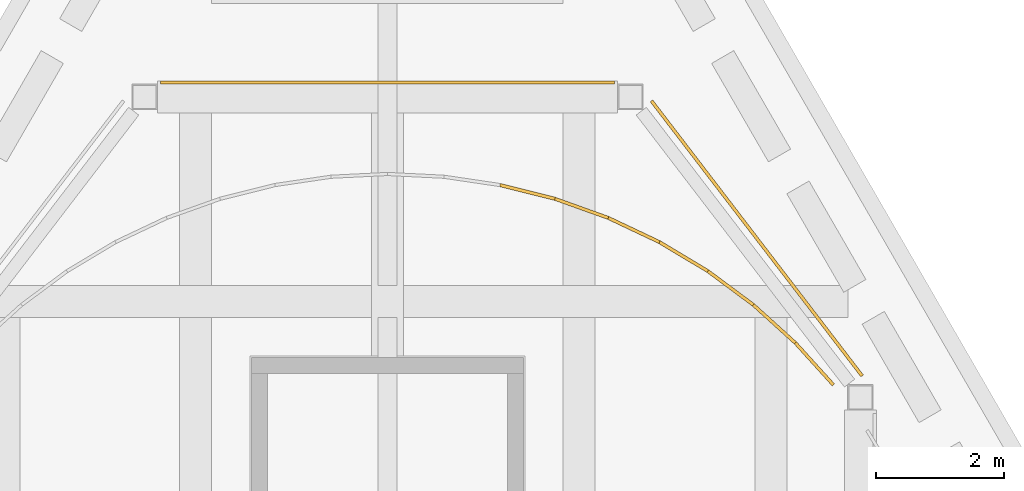
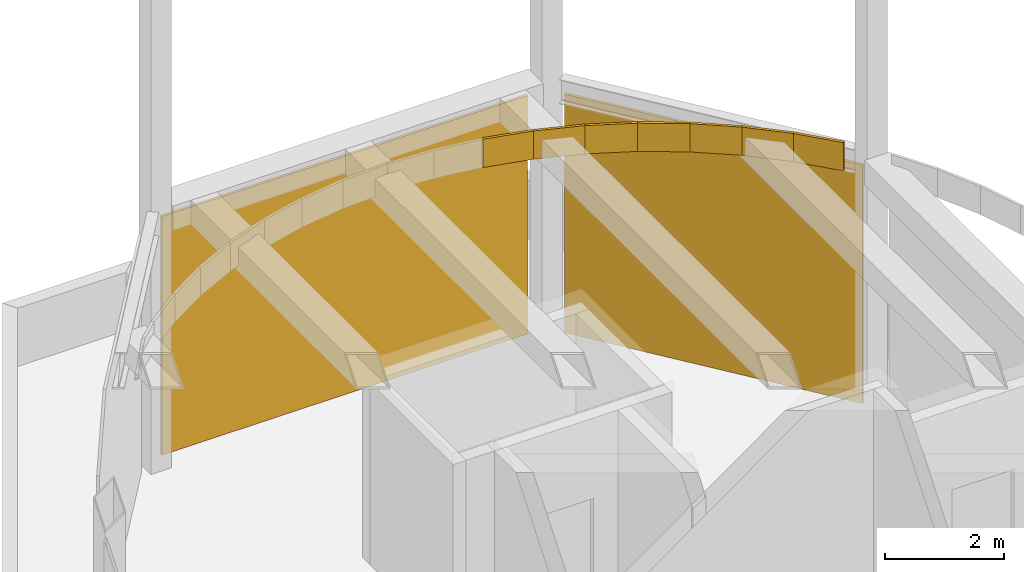
# One storey, part 6 of 6: 9 shading devices.
"""IFC4 building model written with IfcOpenShell, lengths in metres."""

from ifc_helpers import new_model, si_unit, direction, frame, origin, place, context, subcontext, project, spatial, polyline, outline, extrude, material, layer, layer_set, type_object, element, save


model = new_model("IFC4")

# Units and contexts
model_context = context("Model", 3, precision=1e-05, world=origin(), true_north=direction((0.0, 1.0)))
body_context = subcontext(model_context, "Body", "Model", "MODEL_VIEW")
ifc_project = project(units=[si_unit("LENGTHUNIT", "METRE"), si_unit("AREAUNIT", "SQUARE_METRE"), si_unit("VOLUMEUNIT", "CUBIC_METRE"), si_unit("PLANEANGLEUNIT", "RADIAN"), si_unit("MASSUNIT", "GRAM", prefix="KILO")], contexts=[model_context])

# Site, building, storey
site_placement = place(None, origin())
site = spatial("IfcSite", under=ifc_project, at=site_placement, CompositionType="ELEMENT")
building_placement = place(site_placement, origin())
building = spatial("IfcBuilding", under=site, at=building_placement, Name="Fogline Exchange Tower", CompositionType="ELEMENT")
storey_placement = place(building_placement, frame((0.0, 0.0, 363.60009765625)))
storey = spatial("IfcBuildingStorey", under=building, at=storey_placement, Name="RF", CompositionType="ELEMENT", Elevation=363.60009765625)

# Shading devices
ifc_material = material(Name="Aluminium louvre", Category="aluminium")
ifc_layer_1 = layer(ifc_material, 0.050048828125)
ifc_layer_set_1 = layer_set([ifc_layer_1], Name="LV1")
shading_device_type_1 = type_object("IfcShadingDeviceType", Name="LV1", PredefinedType="SHUTTER", material=ifc_layer_set_1)
shading_device_1_placement = place(storey_placement, frame((0.0, 0.0, 5.02001953125)))
element("IfcShadingDevice", 1, at=shading_device_1_placement, inside=storey, type_object=shading_device_type_1, Name="Helipad louvre skirt", PredefinedType="SHUTTER", context=body_context, shape_type="SweptSolid", body=[
    extrude(outline(polyline([(6.95703125, 16.679443359375), (6.99560546875, 16.711181640625), (6.3994140625, 17.369384765625), (6.364013671875, 17.333984375), (6.95703125, 16.679443359375)])), origin(), (0.0, 0.0, 1.0), 0.579833984375),
])
shading_device_2_placement = place(storey_placement, frame((0.0, 0.0, 5.02001953125)))
element("IfcShadingDevice", 2, at=shading_device_2_placement, inside=storey, type_object=shading_device_type_1, Name="Helipad louvre skirt", PredefinedType="SHUTTER", context=body_context, shape_type="SweptSolid", body=[
    extrude(outline(polyline([(6.364013671875, 17.333984375), (6.3994140625, 17.369384765625), (5.7412109375, 17.9658203125), (5.70947265625, 17.927001953125), (6.364013671875, 17.333984375)])), origin(), (0.0, 0.0, 1.0), 0.579833984375),
])
shading_device_3_placement = place(storey_placement, frame((0.0, 0.0, 5.02001953125)))
element("IfcShadingDevice", 3, at=shading_device_3_placement, inside=storey, type_object=shading_device_type_1, Name="Helipad louvre skirt", PredefinedType="SHUTTER", context=body_context, shape_type="SweptSolid", body=[
    extrude(outline(polyline([(5.70947265625, 17.927001953125), (5.7412109375, 17.9658203125), (5.02783203125, 18.494873046875), (5.0, 18.453125), (5.70947265625, 17.927001953125)])), origin(), (0.0, 0.0, 1.0), 0.579833984375),
])
shading_device_4_placement = place(storey_placement, frame((0.0, 0.0, 5.02001953125)))
element("IfcShadingDevice", 4, at=shading_device_4_placement, inside=storey, type_object=shading_device_type_1, Name="Helipad louvre skirt", PredefinedType="SHUTTER", context=body_context, shape_type="SweptSolid", body=[
    extrude(outline(polyline([(5.0, 18.453125), (5.02783203125, 18.494873046875), (4.26611328125, 18.951416015625), (4.24267578125, 18.9072265625), (5.0, 18.453125)])), origin(), (0.0, 0.0, 1.0), 0.579833984375),
])
shading_device_5_placement = place(storey_placement, frame((0.0, 0.0, 5.02001953125)))
element("IfcShadingDevice", 5, at=shading_device_5_placement, inside=storey, type_object=shading_device_type_1, Name="Helipad louvre skirt", PredefinedType="SHUTTER", context=body_context, shape_type="SweptSolid", body=[
    extrude(outline(polyline([(4.24267578125, 18.9072265625), (4.26611328125, 18.951416015625), (3.46337890625, 19.3310546875), (3.444091796875, 19.284912109375), (4.24267578125, 18.9072265625)])), origin(), (0.0, 0.0, 1.0), 0.579833984375),
])
shading_device_6_placement = place(storey_placement, frame((0.0, 0.0, 5.02001953125)))
element("IfcShadingDevice", 6, at=shading_device_6_placement, inside=storey, type_object=shading_device_type_1, Name="Helipad louvre skirt", PredefinedType="SHUTTER", context=body_context, shape_type="SweptSolid", body=[
    extrude(outline(polyline([(3.444091796875, 19.284912109375), (3.46337890625, 19.3310546875), (2.627197265625, 19.63037109375), (2.612548828125, 19.58251953125), (3.444091796875, 19.284912109375)])), origin(), (0.0, 0.0, 1.0), 0.579833984375),
])
shading_device_7_placement = place(storey_placement, frame((0.0, 0.0, 5.02001953125)))
element("IfcShadingDevice", 7, at=shading_device_7_placement, inside=storey, type_object=shading_device_type_1, Name="Helipad louvre skirt", PredefinedType="SHUTTER", context=body_context, shape_type="SweptSolid", body=[
    extrude(outline(polyline([(2.612548828125, 19.58251953125), (2.627197265625, 19.63037109375), (1.765625, 19.84619140625), (1.755859375, 19.797119140625), (2.612548828125, 19.58251953125)])), origin(), (0.0, 0.0, 1.0), 0.579833984375),
])
ifc_layer_2 = layer(ifc_material, 0.050048828125)
ifc_layer_set_2 = layer_set([ifc_layer_2], Name="LV2")
shading_device_type_2 = type_object("IfcShadingDeviceType", Name="LV2", PredefinedType="SHUTTER", material=ifc_layer_set_2)
shading_device_8_placement = place(storey_placement, origin())
element("IfcShadingDevice", 8, at=shading_device_8_placement, inside=storey, type_object=shading_device_type_2, Name="Helipad louvre screen", PredefinedType="SHUTTER", context=body_context, shape_type="SweptSolid", body=[
    extrude(outline(polyline([(7.40673828125, 16.820068359375), (7.446533203125, 16.8505859375), (4.150390625, 21.153564453125), (4.11083984375, 21.123046875), (7.40673828125, 16.820068359375)])), origin(), (0.0, 0.0, 1.0), 4.89990234375),
])
shading_device_9_placement = place(storey_placement, origin())
element("IfcShadingDevice", 9, at=shading_device_9_placement, inside=storey, type_object=shading_device_type_2, Name="Helipad louvre screen", PredefinedType="SHUTTER", context=body_context, shape_type="SweptSolid", body=[
    extrude(outline(polyline([(3.550048828125, 21.39990234375), (3.550048828125, 21.449951171875), (-3.550048828125, 21.449951171875), (-3.550048828125, 21.39990234375), (3.550048828125, 21.39990234375)])), origin(), (0.0, 0.0, 1.0), 4.89990234375),
])

save(model, "model.ifc")
